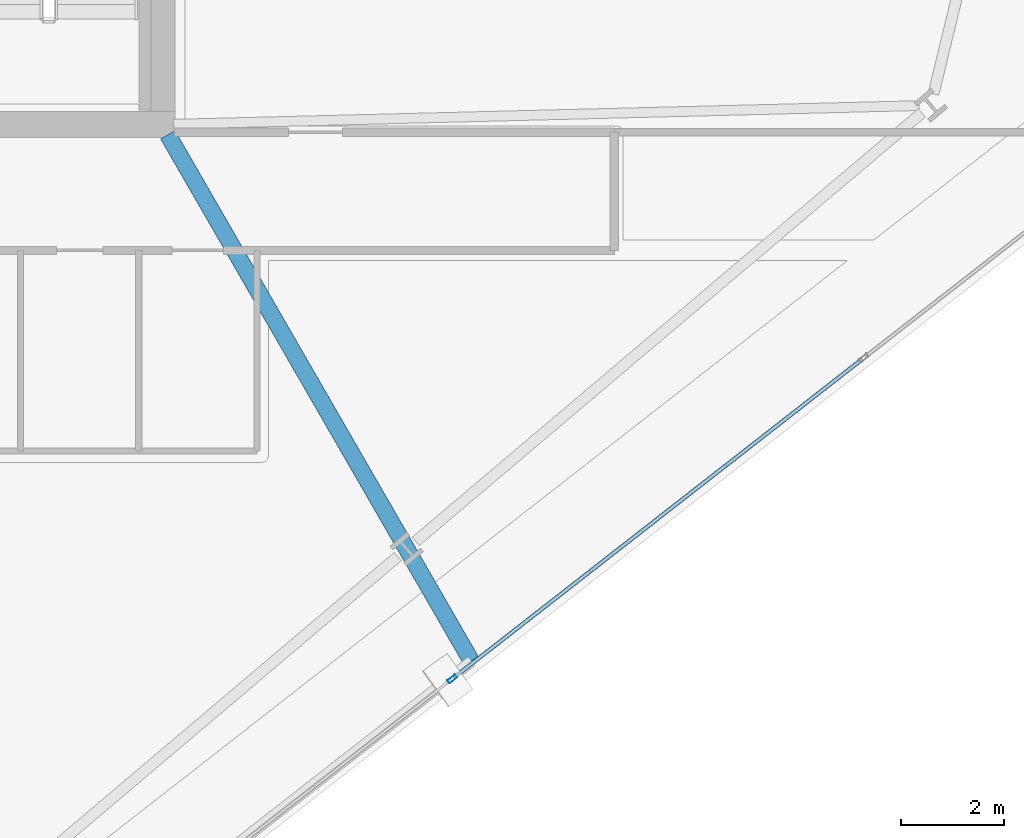
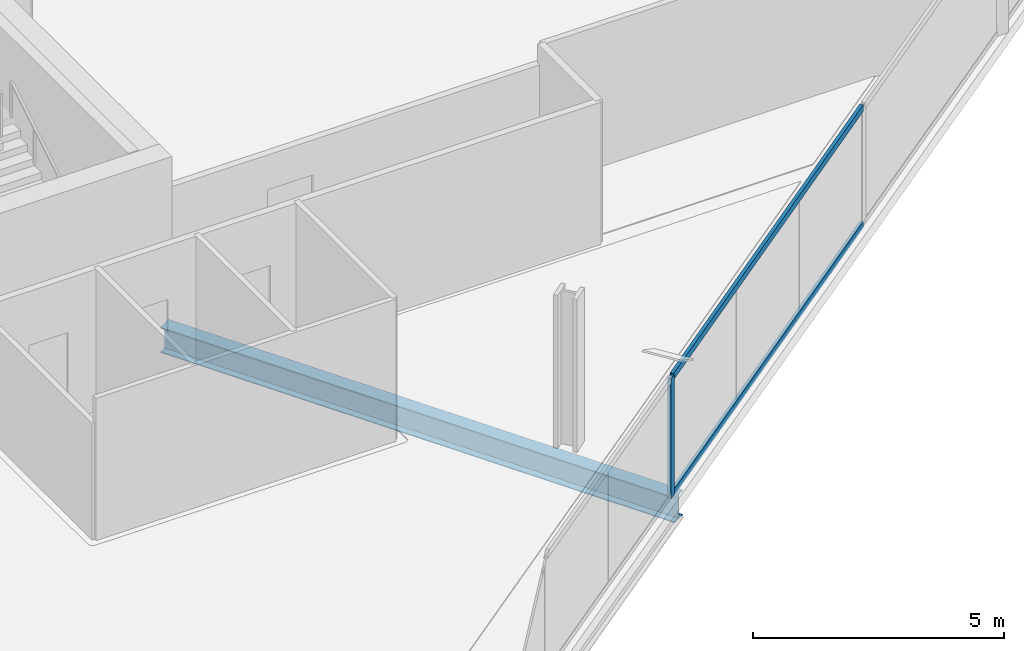
# One storey, part 8 of 32: 3 members, 1 beam, 1 element without a shape of its own.
"""IFC4 building model written with IfcOpenShell, lengths in metres."""

from ifc_helpers import new_model, si_unit, direction, frame, origin, origin_2d, place, context, subcontext, project, spatial, hollow_rectangle, i_section, extrude, material, material_profile, profile_set, type_object, element, aggregate, save


model = new_model("IFC4")

# Units and contexts
model_context = context("Model", 3, precision=1e-05, world=origin(), true_north=direction((0.0, 1.0)))
body_context = subcontext(model_context, "Body", "Model", "MODEL_VIEW")
ifc_project = project(units=[si_unit("LENGTHUNIT", "METRE"), si_unit("AREAUNIT", "SQUARE_METRE"), si_unit("VOLUMEUNIT", "CUBIC_METRE"), si_unit("PLANEANGLEUNIT", "RADIAN"), si_unit("MASSUNIT", "GRAM", prefix="KILO")], contexts=[model_context])

# Site, building, storey
site_placement = place(None, origin())
site = spatial("IfcSite", under=ifc_project, at=site_placement, CompositionType="ELEMENT")
building_placement = place(site_placement, origin())
building = spatial("IfcBuilding", under=site, at=building_placement, Name="Haldenkirk Collegiate Tower", CompositionType="ELEMENT")
storey_placement = place(building_placement, frame((0.0, 0.0, 155.699951171875)))
storey = spatial("IfcBuildingStorey", under=building, at=storey_placement, Name="L38", CompositionType="ELEMENT", Elevation=155.699951171875)

# Beam
ifc_material_1 = material(Name="Steel ASTM A992 Grade 50", Category="steel")
ifc_material_profile_1 = material_profile(ifc_material_1, i_section(OverallWidth=0.324951171875, OverallDepth=0.615966796875, WebThickness=0.013916015625, FlangeThickness=0.021484375, at=origin_2d()), Name="W24X117")
ifc_profile_set_1 = profile_set([ifc_material_profile_1], Name="Steel ASTM A992 Grade 50")
beam_type = type_object("IfcBeamType", Name="BM-GIRDER-W24X117", PredefinedType="BEAM", material=ifc_profile_set_1)
beam_placement = place(storey_placement, frame((51.022216796875, 7.558837890625, -0.597900390625), z_axis=(-0.499621749289, 0.866243676824, 0.0), x_axis=(-0.866243676824, -0.499621749289, 0.0)))
element("IfcBeam", 1, at=beam_placement, inside=storey, type_object=beam_type, Name="L38 primary floor girder 06", PredefinedType="BEAM", context=body_context, shape_type="SweptSolid", body=[
    extrude(i_section(OverallWidth=0.324951171875, OverallDepth=0.615966796875, WebThickness=0.013916015625, FlangeThickness=0.021484375, at=origin_2d()), origin(), (0.0, 0.0, 1.0), 11.823486328125),
])

# Curtain wall, members
ifc_material_2 = material(Name="Anodised architectural bronze aluminium", Category="aluminium")
curtain_wall_type = type_object("IfcCurtainWallType", Name="CW-SYS2-CONCAVE", PredefinedType="USERDEFINED", material=ifc_material_2)
curtain_wall_placement = place(storey_placement, origin())
curtain_wall = element("IfcCurtainWall", 2, at=curtain_wall_placement, inside=storey, type_object=curtain_wall_type, Name="L38 South concave recessed bronze-anodised curtain wall", ObjectType="UNITISED CURTAIN WALL", PredefinedType="USERDEFINED")
ifc_material_profile_2 = material_profile(ifc_material_2, hollow_rectangle(XDim=0.074951171875, YDim=0.18994140625, WallThickness=0.0048828125, at=origin_2d()), Name="CW-MUL-02")
ifc_profile_set_2 = profile_set([ifc_material_profile_2], Name="Anodised architectural bronze aluminium")
member_type_1 = type_object("IfcMemberType", Name="CW-MUL-02", PredefinedType="MULLION", material=ifc_profile_set_2)
member_1_placement = place(storey_placement, frame((50.648681640625, 7.216796875, 0.0), z_axis=(0.0, 0.0, 1.0), x_axis=(0.614973604921, -0.788547693707, 0.0)))
member_1 = element("IfcMember", 3, at=member_1_placement, type_object=member_type_1, Name="CW-02 mullion 3", PredefinedType="MULLION", context=body_context, shape_type="SweptSolid", body=[
    extrude(hollow_rectangle(XDim=0.074951171875, YDim=0.18994140625, WallThickness=0.0048828125, at=origin_2d()), origin(), (0.0, 0.0, 1.0), 2.9111328125),
])
ifc_material_profile_3 = material_profile(ifc_material_2, hollow_rectangle(XDim=0.074951171875, YDim=0.159912109375, WallThickness=0.0048828125, at=origin_2d()), Name="CW-TRN-02")
ifc_profile_set_3 = profile_set([ifc_material_profile_3], Name="Anodised architectural bronze aluminium")
member_type_2 = type_object("IfcMemberType", Name="CW-TRN-02", PredefinedType="USERDEFINED", material=ifc_profile_set_3)
member_2_placement = place(storey_placement, frame((58.622802734375, 13.435546875, 0.03759765625), z_axis=(-0.788549075253, -0.614971833434, 0.0), x_axis=(0.614971833434, -0.788549075253, 0.0)))
member_2 = element("IfcMember", 4, at=member_2_placement, type_object=member_type_2, Name="CW-02 transom 2.1", ObjectType="TRANSOM", PredefinedType="USERDEFINED", context=body_context, shape_type="SweptSolid", body=[
    extrude(hollow_rectangle(XDim=0.074951171875, YDim=0.159912109375, WallThickness=0.0048828125, at=origin_2d()), origin(), (0.0, 0.0, 1.0), 10.074951171875),
])
member_3_placement = place(storey_placement, frame((58.622802734375, 13.435546875, 2.87353515625), z_axis=(-0.788549075253, -0.614971833434, 0.0), x_axis=(0.614971833434, -0.788549075253, 0.0)))
member_3 = element("IfcMember", 5, at=member_3_placement, type_object=member_type_2, Name="CW-02 transom 2.2", ObjectType="TRANSOM", PredefinedType="USERDEFINED", context=body_context, shape_type="SweptSolid", body=[
    extrude(hollow_rectangle(XDim=0.074951171875, YDim=0.159912109375, WallThickness=0.0048828125, at=origin_2d()), origin(), (0.0, 0.0, 1.0), 10.074951171875),
])
aggregate(curtain_wall, [member_1, member_2, member_3])

save(model, "model.ifc")
